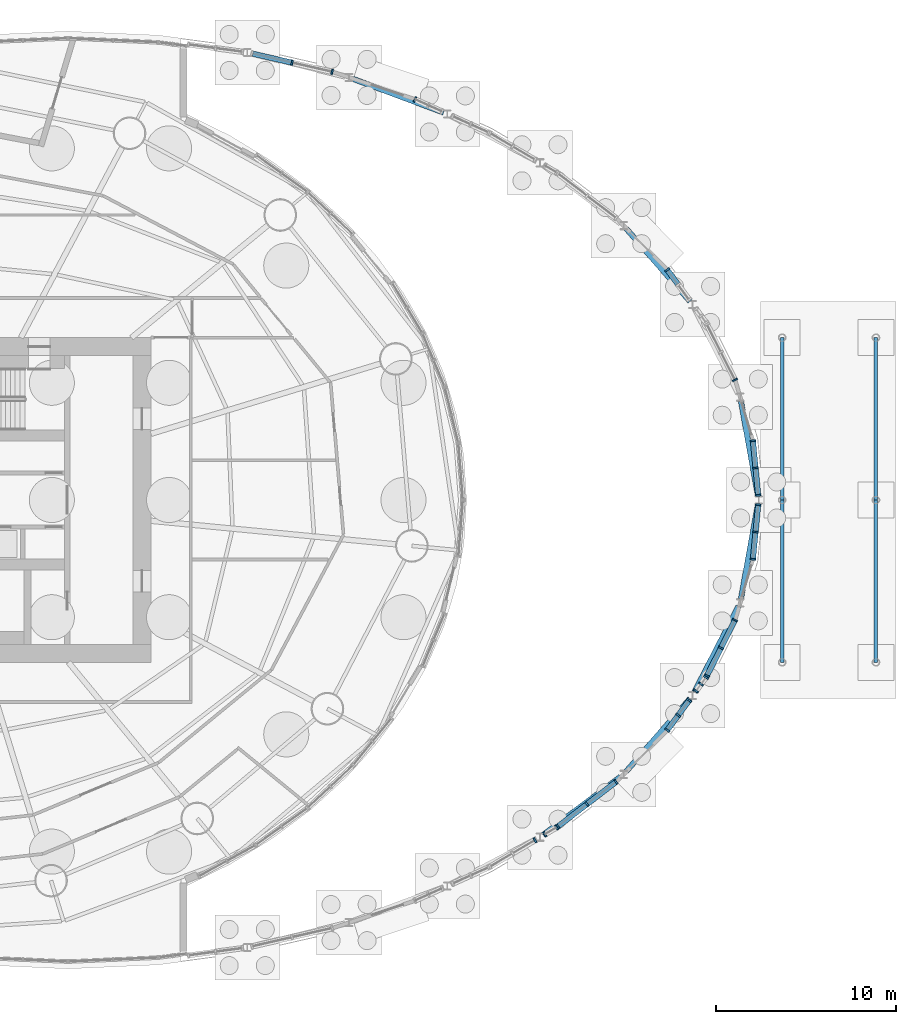
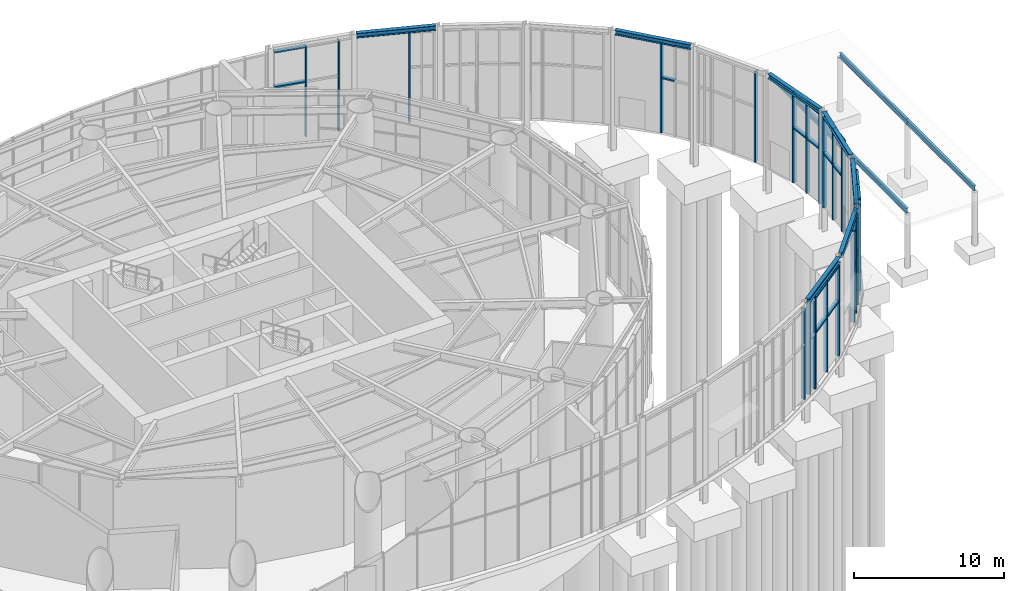
# One storey, part 13 of 27: 50 members, 11 beams, 12 elements without a shape of their own.
"""IFC4 building model written with IfcOpenShell, lengths in metres."""

from ifc_helpers import new_model, si_unit, direction, frame, origin, origin_2d, place, context, subcontext, project, spatial, rectangle, i_section, extrude, material, material_profile, profile_set, type_object, element, aggregate, save


model = new_model("IFC4")

# Units and contexts
model_context = context("Model", 3, precision=1e-05, world=origin(), true_north=direction((0.0, 1.0)))
body_context = subcontext(model_context, "Body", "Model", "MODEL_VIEW")
ifc_project = project(units=[si_unit("LENGTHUNIT", "METRE"), si_unit("AREAUNIT", "SQUARE_METRE"), si_unit("VOLUMEUNIT", "CUBIC_METRE"), si_unit("PLANEANGLEUNIT", "RADIAN"), si_unit("MASSUNIT", "GRAM", prefix="KILO")], contexts=[model_context])

# Site, building, storey
site_placement = place(None, origin())
site = spatial("IfcSite", under=ifc_project, at=site_placement, CompositionType="ELEMENT")
building_placement = place(site_placement, origin())
building = spatial("IfcBuilding", under=site, at=building_placement, Name="Vermilion Reach Broadcast Tower", CompositionType="ELEMENT")
storey_placement = place(building_placement, origin())
storey = spatial("IfcBuildingStorey", under=building, at=storey_placement, Name="L00", CompositionType="ELEMENT", Elevation=0.0)

# Curtain wall, member
ifc_material_1 = material(Name="Low-e laminated clear glass in aluminium frame", Category="aluminium")
curtain_wall_type = type_object("IfcCurtainWallType", Name="Atrium outer wall curtain wall", PredefinedType="NOTDEFINED", material=ifc_material_1)
placement = place(storey_placement, origin())
curtain_wall_1 = element("IfcCurtainWall", 1, at=placement, inside=storey, type_object=curtain_wall_type, Name="Atrium wall L00 02-1", PredefinedType="NOTDEFINED")
ifc_material_2 = material(Name="Anodised aluminium", Category="aluminium")
ifc_material_profile_1 = material_profile(ifc_material_2, rectangle(XDim=0.300048828125, YDim=0.10009765625, at=origin_2d()), Name="Atrium outer wall mullion 100 x 300")
ifc_profile_set_1 = profile_set([ifc_material_profile_1], Name="Anodised aluminium")
member_type_1 = type_object("IfcMemberType", Name="Atrium outer wall mullion 100 x 300", PredefinedType="MULLION", material=ifc_profile_set_1)
member_1_placement = place(storey_placement, frame((27.291748046875, -18.86572265625, 0.0), z_axis=(0.0, 0.0, 1.0), x_axis=(-0.508589622127, 0.861009057017, 0.0)))
member_1 = element("IfcMember", 2, at=member_1_placement, type_object=member_type_1, Name="Atrium wall mullion L00 02-1.3", PredefinedType="MULLION", context=body_context, shape_type="SweptSolid", body=[
    extrude(rectangle(XDim=0.300048828125, YDim=0.10009765625, at=origin_2d()), origin(), (0.0, 0.0, 1.0), 7.409912109375),
])
aggregate(curtain_wall_1, [member_1])

# Curtain wall, members
curtain_wall_2 = element("IfcCurtainWall", 3, at=placement, inside=storey, type_object=curtain_wall_type, Name="Atrium wall L00 02-2", PredefinedType="NOTDEFINED")
member_2_placement = place(storey_placement, frame((27.849609375, -18.5361328125, 0.0), z_axis=(0.0, 0.0, 1.0), x_axis=(-0.508589622127, 0.861009057017, 0.0)))
member_2 = element("IfcMember", 4, at=member_2_placement, type_object=member_type_1, Name="Atrium wall mullion L00 02-2.1", PredefinedType="MULLION", context=body_context, shape_type="SweptSolid", body=[
    extrude(rectangle(XDim=0.300048828125, YDim=0.10009765625, at=origin_2d()), origin(), (0.0, 0.0, 1.0), 7.409912109375),
])
member_3_placement = place(storey_placement, frame((28.48388671875, -18.161376953125, 0.0), z_axis=(0.0, 0.0, 1.0), x_axis=(-0.508589622127, 0.861009057017, 0.0)))
member_3 = element("IfcMember", 5, at=member_3_placement, type_object=member_type_1, Name="Atrium wall mullion L00 02-2.2", PredefinedType="MULLION", context=body_context, shape_type="SweptSolid", body=[
    extrude(rectangle(XDim=0.300048828125, YDim=0.10009765625, at=origin_2d()), origin(), (0.0, 0.0, 1.0), 7.409912109375),
])
aggregate(curtain_wall_2, [member_2, member_3])

curtain_wall_3 = element("IfcCurtainWall", 6, at=placement, inside=storey, type_object=curtain_wall_type, Name="Atrium wall L00 03", PredefinedType="NOTDEFINED")
member_4_placement = place(storey_placement, frame((28.566650390625, -18.10546875, 0.0), z_axis=(0.0, 0.0, 1.0), x_axis=(-0.609113924113, 0.793082736826, 0.0)))
member_4 = element("IfcMember", 7, at=member_4_placement, type_object=member_type_1, Name="Atrium wall mullion L00 03.1", PredefinedType="MULLION", context=body_context, shape_type="SweptSolid", body=[
    extrude(rectangle(XDim=0.300048828125, YDim=0.10009765625, at=origin_2d()), origin(), (0.0, 0.0, 1.0), 7.409912109375),
])
member_5_placement = place(storey_placement, frame((30.17626953125, -16.869140625, 0.0), z_axis=(0.0, 0.0, 1.0), x_axis=(-0.609113924113, 0.793082736826, 0.0)))
member_5 = element("IfcMember", 8, at=member_5_placement, type_object=member_type_1, Name="Atrium wall mullion L00 03.2", PredefinedType="MULLION", context=body_context, shape_type="SweptSolid", body=[
    extrude(rectangle(XDim=0.300048828125, YDim=0.10009765625, at=origin_2d()), origin(), (0.0, 0.0, 1.0), 7.409912109375),
])
member_6_placement = place(storey_placement, frame((31.7861328125, -15.6328125, 0.0), z_axis=(0.0, 0.0, 1.0), x_axis=(-0.609113924113, 0.793082736826, 0.0)))
member_6 = element("IfcMember", 9, at=member_6_placement, type_object=member_type_1, Name="Atrium wall mullion L00 03.3", PredefinedType="MULLION", context=body_context, shape_type="SweptSolid", body=[
    extrude(rectangle(XDim=0.300048828125, YDim=0.10009765625, at=origin_2d()), origin(), (0.0, 0.0, 1.0), 7.409912109375),
])

curtain_wall_4 = element("IfcCurtainWall", 10, at=placement, inside=storey, type_object=curtain_wall_type, Name="Atrium wall L00 01-1", PredefinedType="NOTDEFINED")
member_7_placement = place(storey_placement, frame((34.630615234375, -12.764404296875, 0.0), z_axis=(0.0, 0.0, 1.0), x_axis=(-0.806847463604, 0.590759824697, 0.0)))
member_7 = element("IfcMember", 11, at=member_7_placement, type_object=member_type_1, Name="Atrium wall mullion L00 01-1.1", PredefinedType="MULLION", context=body_context, shape_type="SweptSolid", body=[
    extrude(rectangle(XDim=0.300048828125, YDim=0.10009765625, at=origin_2d()), origin(), (0.0, 0.0, 1.0), 7.409912109375),
])
member_8_placement = place(storey_placement, frame((35.236572265625, -11.936767578125, 0.0), z_axis=(0.0, 0.0, 1.0), x_axis=(-0.806847463604, 0.590759824697, 0.0)))
member_8 = element("IfcMember", 12, at=member_8_placement, type_object=member_type_1, Name="Atrium wall mullion L00 01-1.2", PredefinedType="MULLION", context=body_context, shape_type="SweptSolid", body=[
    extrude(rectangle(XDim=0.300048828125, YDim=0.10009765625, at=origin_2d()), origin(), (0.0, 0.0, 1.0), 7.409912109375),
])
member_9_placement = place(storey_placement, frame((35.8427734375, -11.109130859375, 0.0), z_axis=(0.0, 0.0, 1.0), x_axis=(-0.806847463604, 0.590759824697, 0.0)))
member_9 = element("IfcMember", 13, at=member_9_placement, type_object=member_type_1, Name="Atrium wall mullion L00 01-1.3", PredefinedType="MULLION", context=body_context, shape_type="SweptSolid", body=[
    extrude(rectangle(XDim=0.300048828125, YDim=0.10009765625, at=origin_2d()), origin(), (0.0, 0.0, 1.0), 7.409912109375),
])

curtain_wall_5 = element("IfcCurtainWall", 14, at=placement, inside=storey, type_object=curtain_wall_type, Name="Atrium wall L00 01-2", PredefinedType="NOTDEFINED")
member_10_placement = place(storey_placement, frame((36.2255859375, -10.586181640625, 0.0), z_axis=(0.0, 0.0, 1.0), x_axis=(-0.806847463604, 0.590759824697, 0.0)))
member_10 = element("IfcMember", 15, at=member_10_placement, type_object=member_type_1, Name="Atrium wall mullion L00 01-2.1", PredefinedType="MULLION", context=body_context, shape_type="SweptSolid", body=[
    extrude(rectangle(XDim=0.300048828125, YDim=0.10009765625, at=origin_2d()), origin(), (0.0, 0.0, 1.0), 7.409912109375),
])
member_11_placement = place(storey_placement, frame((36.501220703125, -10.209716796875, 0.0), z_axis=(0.0, 0.0, 1.0), x_axis=(-0.806847463604, 0.590759824697, 0.0)))
member_11 = element("IfcMember", 16, at=member_11_placement, type_object=member_type_1, Name="Atrium wall mullion L00 01-2.2", PredefinedType="MULLION", context=body_context, shape_type="SweptSolid", body=[
    extrude(rectangle(XDim=0.300048828125, YDim=0.10009765625, at=origin_2d()), origin(), (0.0, 0.0, 1.0), 7.409912109375),
])
member_12_placement = place(storey_placement, frame((36.777099609375, -9.8330078125, 0.0), z_axis=(0.0, 0.0, 1.0), x_axis=(-0.806847463604, 0.590759824697, 0.0)))
member_12 = element("IfcMember", 17, at=member_12_placement, type_object=member_type_1, Name="Atrium wall mullion L00 01-2.3", PredefinedType="MULLION", context=body_context, shape_type="SweptSolid", body=[
    extrude(rectangle(XDim=0.300048828125, YDim=0.10009765625, at=origin_2d()), origin(), (0.0, 0.0, 1.0), 7.409912109375),
])
aggregate(curtain_wall_5, [member_10, member_11, member_12])

curtain_wall_6 = element("IfcCurtainWall", 18, at=placement, inside=storey, type_object=curtain_wall_type, Name="Atrium wall L00 02", PredefinedType="NOTDEFINED")
member_13_placement = place(storey_placement, frame((36.8291015625, -9.748046875, 0.0), z_axis=(0.0, 0.0, 1.0), x_axis=(-0.892992378986, 0.450071784356, 0.0)))
member_13 = element("IfcMember", 19, at=member_13_placement, type_object=member_type_1, Name="Atrium wall mullion L00 02.1", PredefinedType="MULLION", context=body_context, shape_type="SweptSolid", body=[
    extrude(rectangle(XDim=0.300048828125, YDim=0.10009765625, at=origin_2d()), origin(), (0.0, 0.0, 1.0), 7.409912109375),
])
member_14_placement = place(storey_placement, frame((37.6064453125, -8.20556640625, 0.0), z_axis=(0.0, 0.0, 1.0), x_axis=(-0.892992378986, 0.450071784356, 0.0)))
member_14 = element("IfcMember", 20, at=member_14_placement, type_object=member_type_1, Name="Atrium wall mullion L00 02.2", PredefinedType="MULLION", context=body_context, shape_type="SweptSolid", body=[
    extrude(rectangle(XDim=0.300048828125, YDim=0.10009765625, at=origin_2d()), origin(), (0.0, 0.0, 1.0), 7.409912109375),
])
member_15_placement = place(storey_placement, frame((38.384033203125, -6.6630859375, 0.0), z_axis=(0.0, 0.0, 1.0), x_axis=(-0.892992378986, 0.450071784356, 0.0)))
member_15 = element("IfcMember", 21, at=member_15_placement, type_object=member_type_1, Name="Atrium wall mullion L00 02.3", PredefinedType="MULLION", context=body_context, shape_type="SweptSolid", body=[
    extrude(rectangle(XDim=0.300048828125, YDim=0.10009765625, at=origin_2d()), origin(), (0.0, 0.0, 1.0), 7.409912109375),
])

curtain_wall_7 = element("IfcCurtainWall", 22, at=placement, inside=storey, type_object=curtain_wall_type, Name="Atrium wall L00 01", PredefinedType="NOTDEFINED")
member_16_placement = place(storey_placement, frame((39.380615234375, -3.286376953125, 0.0), z_axis=(0.0, 0.0, 1.0), x_axis=(-0.995297951094, 0.096860665643, 0.0)))
member_16 = element("IfcMember", 23, at=member_16_placement, type_object=member_type_1, Name="Atrium wall mullion L00 01.1", PredefinedType="MULLION", context=body_context, shape_type="SweptSolid", body=[
    extrude(rectangle(XDim=0.300048828125, YDim=0.10009765625, at=origin_2d()), origin(), (0.0, 0.0, 1.0), 7.409912109375),
])
member_17_placement = place(storey_placement, frame((39.52783203125, -1.774658203125, 0.0), z_axis=(0.0, 0.0, 1.0), x_axis=(-0.995297951094, 0.096860665643, 0.0)))
member_17 = element("IfcMember", 24, at=member_17_placement, type_object=member_type_1, Name="Atrium wall mullion L00 01.2", PredefinedType="MULLION", context=body_context, shape_type="SweptSolid", body=[
    extrude(rectangle(XDim=0.300048828125, YDim=0.10009765625, at=origin_2d()), origin(), (0.0, 0.0, 1.0), 7.409912109375),
])
member_18_placement = place(storey_placement, frame((39.6748046875, -0.2626953125, 0.0), z_axis=(0.0, 0.0, 1.0), x_axis=(-0.995297951094, 0.096860665643, 0.0)))
member_18 = element("IfcMember", 25, at=member_18_placement, type_object=member_type_1, Name="Atrium wall mullion L00 01.3", PredefinedType="MULLION", context=body_context, shape_type="SweptSolid", body=[
    extrude(rectangle(XDim=0.300048828125, YDim=0.10009765625, at=origin_2d()), origin(), (0.0, 0.0, 1.0), 7.409912109375),
])

curtain_wall_8 = element("IfcCurtainWall", 26, at=placement, inside=storey, type_object=curtain_wall_type, Name="Atrium wall L00 02", PredefinedType="NOTDEFINED")
member_19_placement = place(storey_placement, frame((39.6748046875, 0.2626953125, 0.0), z_axis=(0.0, 0.0, 1.0), x_axis=(-0.995297951094, -0.096860665643, 0.0)))
member_19 = element("IfcMember", 27, at=member_19_placement, type_object=member_type_1, Name="Atrium wall mullion L00 02.1", PredefinedType="MULLION", context=body_context, shape_type="SweptSolid", body=[
    extrude(rectangle(XDim=0.300048828125, YDim=0.10009765625, at=origin_2d()), origin(), (0.0, 0.0, 1.0), 7.409912109375),
])
member_20_placement = place(storey_placement, frame((39.52783203125, 1.774658203125, 0.0), z_axis=(0.0, 0.0, 1.0), x_axis=(-0.995297951094, -0.096860665643, 0.0)))
member_20 = element("IfcMember", 28, at=member_20_placement, type_object=member_type_1, Name="Atrium wall mullion L00 02.2", PredefinedType="MULLION", context=body_context, shape_type="SweptSolid", body=[
    extrude(rectangle(XDim=0.300048828125, YDim=0.10009765625, at=origin_2d()), origin(), (0.0, 0.0, 1.0), 7.409912109375),
])
member_21_placement = place(storey_placement, frame((39.380615234375, 3.286376953125, 0.0), z_axis=(0.0, 0.0, 1.0), x_axis=(-0.995297951094, -0.096860665643, 0.0)))
member_21 = element("IfcMember", 29, at=member_21_placement, type_object=member_type_1, Name="Atrium wall mullion L00 02.3", PredefinedType="MULLION", context=body_context, shape_type="SweptSolid", body=[
    extrude(rectangle(XDim=0.300048828125, YDim=0.10009765625, at=origin_2d()), origin(), (0.0, 0.0, 1.0), 7.409912109375),
])

# Curtain wall, member
curtain_wall_9 = element("IfcCurtainWall", 30, at=placement, inside=storey, type_object=curtain_wall_type, Name="Atrium wall L00 01", PredefinedType="NOTDEFINED")
member_22_placement = place(storey_placement, frame((38.384033203125, 6.6630859375, 0.0), z_axis=(0.0, 0.0, 1.0), x_axis=(-0.892992378986, -0.450071784356, 0.0)))
member_22 = element("IfcMember", 31, at=member_22_placement, type_object=member_type_1, Name="Atrium wall mullion L00 01.1", PredefinedType="MULLION", context=body_context, shape_type="SweptSolid", body=[
    extrude(rectangle(XDim=0.300048828125, YDim=0.10009765625, at=origin_2d()), origin(), (0.0, 0.0, 1.0), 7.409912109375),
])
aggregate(curtain_wall_9, [member_22])

curtain_wall_10 = element("IfcCurtainWall", 32, at=placement, inside=storey, type_object=curtain_wall_type, Name="Atrium wall L00 02-2", PredefinedType="NOTDEFINED")
member_23_placement = place(storey_placement, frame((34.630615234375, 12.764404296875, 0.0), z_axis=(0.0, 0.0, 1.0), x_axis=(-0.806847463604, -0.590759824697, 0.0)))
member_23 = element("IfcMember", 33, at=member_23_placement, type_object=member_type_1, Name="Atrium wall mullion L00 02-2.3", PredefinedType="MULLION", context=body_context, shape_type="SweptSolid", body=[
    extrude(rectangle(XDim=0.300048828125, YDim=0.10009765625, at=origin_2d()), origin(), (0.0, 0.0, 1.0), 7.409912109375),
])

curtain_wall_11 = element("IfcCurtainWall", 34, at=placement, inside=storey, type_object=curtain_wall_type, Name="Atrium wall L00 03-2", PredefinedType="NOTDEFINED")
member_24_placement = place(storey_placement, frame((20.636962890625, 22.216552734375, 0.0), z_axis=(0.0, 0.0, 1.0), x_axis=(-0.410407876277, -0.911902064418, 0.0)))
member_24 = element("IfcMember", 35, at=member_24_placement, type_object=member_type_1, Name="Atrium wall mullion L00 03-2.3", PredefinedType="MULLION", context=body_context, shape_type="SweptSolid", body=[
    extrude(rectangle(XDim=0.300048828125, YDim=0.10009765625, at=origin_2d()), origin(), (0.0, 0.0, 1.0), 7.409912109375),
])
aggregate(curtain_wall_11, [member_24])

# Curtain wall, members
curtain_wall_12 = element("IfcCurtainWall", 36, at=placement, inside=storey, type_object=curtain_wall_type, Name="Atrium wall L00 01", PredefinedType="NOTDEFINED")
member_25_placement = place(storey_placement, frame((16.042236328125, 23.7431640625, 0.0), z_axis=(0.0, 0.0, 1.0), x_axis=(-0.222891523278, -0.974843253478, 0.0)))
member_25 = element("IfcMember", 37, at=member_25_placement, type_object=member_type_1, Name="Atrium wall mullion L00 01.1", PredefinedType="MULLION", context=body_context, shape_type="SweptSolid", body=[
    extrude(rectangle(XDim=0.300048828125, YDim=0.10009765625, at=origin_2d()), origin(), (0.0, 0.0, 1.0), 7.409912109375),
])
member_26_placement = place(storey_placement, frame((13.818359375, 24.251708984375, 0.0), z_axis=(0.0, 0.0, 1.0), x_axis=(-0.222891523278, -0.974843253478, 0.0)))
member_26 = element("IfcMember", 38, at=member_26_placement, type_object=member_type_1, Name="Atrium wall mullion L00 01.2", PredefinedType="MULLION", context=body_context, shape_type="SweptSolid", body=[
    extrude(rectangle(XDim=0.300048828125, YDim=0.10009765625, at=origin_2d()), origin(), (0.0, 0.0, 1.0), 7.409912109375),
])

# Member
ifc_material_3 = material(Name="Anodised aluminium", Category="aluminium")
ifc_material_profile_2 = material_profile(ifc_material_3, rectangle(XDim=0.300048828125, YDim=0.1201171875, at=origin_2d()), Name="Atrium outer wall transom 300 x 120")
ifc_profile_set_2 = profile_set([ifc_material_profile_2], Name="Anodised aluminium")
member_type_2 = type_object("IfcMemberType", Name="Atrium outer wall transom 300 x 120", PredefinedType="USERDEFINED", material=ifc_profile_set_2)
member_27_placement = place(storey_placement, frame((28.606201171875, -18.0751953125, 4.5), z_axis=(0.79307054721, 0.609129794993, 0.0), x_axis=(-0.609129794993, 0.79307054721, 0.0)))
member_27 = element("IfcMember", 39, at=member_27_placement, type_object=member_type_2, Name="Atrium wall transom L00 03.1.2", ObjectType="TRANSOM", PredefinedType="USERDEFINED", context=body_context, shape_type="SweptSolid", body=[
    extrude(rectangle(XDim=0.300048828125, YDim=0.1201171875, at=origin_2d()), origin(), (0.0, 0.0, 1.0), 1.929931640625),
])

member_28_placement = place(storey_placement, frame((28.606201171875, -18.0751953125, 7.35009765625), z_axis=(0.79307054721, 0.609129794993, 0.0), x_axis=(-0.609129794993, 0.79307054721, 0.0)))
member_28 = element("IfcMember", 40, at=member_28_placement, type_object=member_type_2, Name="Atrium wall transom L00 03.1.3", ObjectType="TRANSOM", PredefinedType="USERDEFINED", context=body_context, shape_type="SweptSolid", body=[
    extrude(rectangle(XDim=0.300048828125, YDim=0.1201171875, at=origin_2d()), origin(), (0.0, 0.0, 1.0), 1.929931640625),
])

member_29_placement = place(storey_placement, frame((30.216064453125, -16.8388671875, 4.5), z_axis=(0.79307054721, 0.609129794993, 0.0), x_axis=(-0.609129794993, 0.79307054721, 0.0)))
member_29 = element("IfcMember", 41, at=member_29_placement, type_object=member_type_2, Name="Atrium wall transom L00 03.2.2", ObjectType="TRANSOM", PredefinedType="USERDEFINED", context=body_context, shape_type="SweptSolid", body=[
    extrude(rectangle(XDim=0.300048828125, YDim=0.1201171875, at=origin_2d()), origin(), (0.0, 0.0, 1.0), 1.929931640625),
])

member_30_placement = place(storey_placement, frame((30.216064453125, -16.8388671875, 7.35009765625), z_axis=(0.79307054721, 0.609129794993, 0.0), x_axis=(-0.609129794993, 0.79307054721, 0.0)))
member_30 = element("IfcMember", 42, at=member_30_placement, type_object=member_type_2, Name="Atrium wall transom L00 03.2.3", ObjectType="TRANSOM", PredefinedType="USERDEFINED", context=body_context, shape_type="SweptSolid", body=[
    extrude(rectangle(XDim=0.300048828125, YDim=0.1201171875, at=origin_2d()), origin(), (0.0, 0.0, 1.0), 1.929931640625),
])

aggregate(curtain_wall_3, [member_4, member_5, member_6, member_27, member_28, member_29, member_30])

member_31_placement = place(storey_placement, frame((34.66015625, -12.72412109375, 4.5), z_axis=(0.590677537, 0.806907706794, 0.0), x_axis=(-0.806907706794, 0.590677537, 0.0)))
member_31 = element("IfcMember", 43, at=member_31_placement, type_object=member_type_2, Name="Atrium wall transom L00 01-1.1.2", ObjectType="TRANSOM", PredefinedType="USERDEFINED", context=body_context, shape_type="SweptSolid", body=[
    extrude(rectangle(XDim=0.300048828125, YDim=0.1201171875, at=origin_2d()), origin(), (0.0, 0.0, 1.0), 0.92578125),
])

member_32_placement = place(storey_placement, frame((34.66015625, -12.72412109375, 7.35009765625), z_axis=(0.590677537, 0.806907706794, 0.0), x_axis=(-0.806907706794, 0.590677537, 0.0)))
member_32 = element("IfcMember", 44, at=member_32_placement, type_object=member_type_2, Name="Atrium wall transom L00 01-1.1.3", ObjectType="TRANSOM", PredefinedType="USERDEFINED", context=body_context, shape_type="SweptSolid", body=[
    extrude(rectangle(XDim=0.300048828125, YDim=0.1201171875, at=origin_2d()), origin(), (0.0, 0.0, 1.0), 0.92578125),
])

member_33_placement = place(storey_placement, frame((35.26611328125, -11.896484375, 4.5), z_axis=(0.590849188932, 0.806782025047, 0.0), x_axis=(-0.806782025047, 0.590849188932, 0.0)))
member_33 = element("IfcMember", 45, at=member_33_placement, type_object=member_type_2, Name="Atrium wall transom L00 01-1.2.2", ObjectType="TRANSOM", PredefinedType="USERDEFINED", context=body_context, shape_type="SweptSolid", body=[
    extrude(rectangle(XDim=0.300048828125, YDim=0.1201171875, at=origin_2d()), origin(), (0.0, 0.0, 1.0), 0.926025390625),
])

member_34_placement = place(storey_placement, frame((35.26611328125, -11.896484375, 7.35009765625), z_axis=(0.590849188932, 0.806782025047, 0.0), x_axis=(-0.806782025047, 0.590849188932, 0.0)))
member_34 = element("IfcMember", 46, at=member_34_placement, type_object=member_type_2, Name="Atrium wall transom L00 01-1.2.3", ObjectType="TRANSOM", PredefinedType="USERDEFINED", context=body_context, shape_type="SweptSolid", body=[
    extrude(rectangle(XDim=0.300048828125, YDim=0.1201171875, at=origin_2d()), origin(), (0.0, 0.0, 1.0), 0.926025390625),
])

aggregate(curtain_wall_4, [member_7, member_8, member_9, member_31, member_32, member_33, member_34])

member_35_placement = place(storey_placement, frame((36.8515625, -9.703369140625, 4.5), z_axis=(0.450091864122, 0.892982258419, 0.0), x_axis=(-0.892982258419, 0.450091864122, 0.0)))
member_35 = element("IfcMember", 47, at=member_35_placement, type_object=member_type_2, Name="Atrium wall transom L00 02.1.2", ObjectType="TRANSOM", PredefinedType="USERDEFINED", context=body_context, shape_type="SweptSolid", body=[
    extrude(rectangle(XDim=0.300048828125, YDim=0.1201171875, at=origin_2d()), origin(), (0.0, 0.0, 1.0), 1.627197265625),
])

member_36_placement = place(storey_placement, frame((36.8515625, -9.703369140625, 7.35009765625), z_axis=(0.450091864122, 0.892982258419, 0.0), x_axis=(-0.892982258419, 0.450091864122, 0.0)))
member_36 = element("IfcMember", 48, at=member_36_placement, type_object=member_type_2, Name="Atrium wall transom L00 02.1.3", ObjectType="TRANSOM", PredefinedType="USERDEFINED", context=body_context, shape_type="SweptSolid", body=[
    extrude(rectangle(XDim=0.300048828125, YDim=0.1201171875, at=origin_2d()), origin(), (0.0, 0.0, 1.0), 1.627197265625),
])

member_37_placement = place(storey_placement, frame((37.62890625, -8.160888671875, 4.5), z_axis=(0.450091864122, 0.892982258419, 0.0), x_axis=(-0.892982258419, 0.450091864122, 0.0)))
member_37 = element("IfcMember", 49, at=member_37_placement, type_object=member_type_2, Name="Atrium wall transom L00 02.2.2", ObjectType="TRANSOM", PredefinedType="USERDEFINED", context=body_context, shape_type="SweptSolid", body=[
    extrude(rectangle(XDim=0.300048828125, YDim=0.1201171875, at=origin_2d()), origin(), (0.0, 0.0, 1.0), 1.627197265625),
])

member_38_placement = place(storey_placement, frame((37.62890625, -8.160888671875, 7.35009765625), z_axis=(0.450091864122, 0.892982258419, 0.0), x_axis=(-0.892982258419, 0.450091864122, 0.0)))
member_38 = element("IfcMember", 50, at=member_38_placement, type_object=member_type_2, Name="Atrium wall transom L00 02.2.3", ObjectType="TRANSOM", PredefinedType="USERDEFINED", context=body_context, shape_type="SweptSolid", body=[
    extrude(rectangle(XDim=0.300048828125, YDim=0.1201171875, at=origin_2d()), origin(), (0.0, 0.0, 1.0), 1.627197265625),
])

aggregate(curtain_wall_6, [member_13, member_14, member_15, member_35, member_36, member_37, member_38])

member_39_placement = place(storey_placement, frame((39.385498046875, -3.236572265625, 4.5), z_axis=(0.096863028009, 0.995297721189, 0.0), x_axis=(-0.995297721189, 0.096863028009, 0.0)))
member_39 = element("IfcMember", 51, at=member_39_placement, type_object=member_type_2, Name="Atrium wall transom L00 01.1.2", ObjectType="TRANSOM", PredefinedType="USERDEFINED", context=body_context, shape_type="SweptSolid", body=[
    extrude(rectangle(XDim=0.300048828125, YDim=0.1201171875, at=origin_2d()), origin(), (0.0, 0.0, 1.0), 1.4189453125),
])

member_40_placement = place(storey_placement, frame((39.385498046875, -3.236572265625, 7.35009765625), z_axis=(0.096863028009, 0.995297721189, 0.0), x_axis=(-0.995297721189, 0.096863028009, 0.0)))
member_40 = element("IfcMember", 52, at=member_40_placement, type_object=member_type_2, Name="Atrium wall transom L00 01.1.3", ObjectType="TRANSOM", PredefinedType="USERDEFINED", context=body_context, shape_type="SweptSolid", body=[
    extrude(rectangle(XDim=0.300048828125, YDim=0.1201171875, at=origin_2d()), origin(), (0.0, 0.0, 1.0), 1.4189453125),
])

member_41_placement = place(storey_placement, frame((39.53271484375, -1.724853515625, 4.5), z_axis=(0.096863028009, 0.995297721189, 0.0), x_axis=(-0.995297721189, 0.096863028009, 0.0)))
member_41 = element("IfcMember", 53, at=member_41_placement, type_object=member_type_2, Name="Atrium wall transom L00 01.2.2", ObjectType="TRANSOM", PredefinedType="USERDEFINED", context=body_context, shape_type="SweptSolid", body=[
    extrude(rectangle(XDim=0.300048828125, YDim=0.1201171875, at=origin_2d()), origin(), (0.0, 0.0, 1.0), 1.4189453125),
])

member_42_placement = place(storey_placement, frame((39.53271484375, -1.724853515625, 7.35009765625), z_axis=(0.096863028009, 0.995297721189, 0.0), x_axis=(-0.995297721189, 0.096863028009, 0.0)))
member_42 = element("IfcMember", 54, at=member_42_placement, type_object=member_type_2, Name="Atrium wall transom L00 01.2.3", ObjectType="TRANSOM", PredefinedType="USERDEFINED", context=body_context, shape_type="SweptSolid", body=[
    extrude(rectangle(XDim=0.300048828125, YDim=0.1201171875, at=origin_2d()), origin(), (0.0, 0.0, 1.0), 1.4189453125),
])

aggregate(curtain_wall_7, [member_16, member_17, member_18, member_39, member_40, member_41, member_42])

member_43_placement = place(storey_placement, frame((39.670166015625, 0.3125, 4.5), z_axis=(-0.096863028009, 0.995297721189, 0.0), x_axis=(-0.995297721189, -0.096863028009, 0.0)))
member_43 = element("IfcMember", 55, at=member_43_placement, type_object=member_type_2, Name="Atrium wall transom L00 02.1.2", ObjectType="TRANSOM", PredefinedType="USERDEFINED", context=body_context, shape_type="SweptSolid", body=[
    extrude(rectangle(XDim=0.300048828125, YDim=0.1201171875, at=origin_2d()), origin(), (0.0, 0.0, 1.0), 1.4189453125),
])

member_44_placement = place(storey_placement, frame((39.670166015625, 0.3125, 7.35009765625), z_axis=(-0.096863028009, 0.995297721189, 0.0), x_axis=(-0.995297721189, -0.096863028009, 0.0)))
member_44 = element("IfcMember", 56, at=member_44_placement, type_object=member_type_2, Name="Atrium wall transom L00 02.1.3", ObjectType="TRANSOM", PredefinedType="USERDEFINED", context=body_context, shape_type="SweptSolid", body=[
    extrude(rectangle(XDim=0.300048828125, YDim=0.1201171875, at=origin_2d()), origin(), (0.0, 0.0, 1.0), 1.4189453125),
])

member_45_placement = place(storey_placement, frame((39.52294921875, 1.82421875, 4.5), z_axis=(-0.096863028009, 0.995297721189, 0.0), x_axis=(-0.995297721189, -0.096863028009, 0.0)))
member_45 = element("IfcMember", 57, at=member_45_placement, type_object=member_type_2, Name="Atrium wall transom L00 02.2.2", ObjectType="TRANSOM", PredefinedType="USERDEFINED", context=body_context, shape_type="SweptSolid", body=[
    extrude(rectangle(XDim=0.300048828125, YDim=0.1201171875, at=origin_2d()), origin(), (0.0, 0.0, 1.0), 1.4189453125),
])

member_46_placement = place(storey_placement, frame((39.52294921875, 1.82421875, 7.35009765625), z_axis=(-0.096863028009, 0.995297721189, 0.0), x_axis=(-0.995297721189, -0.096863028009, 0.0)))
member_46 = element("IfcMember", 58, at=member_46_placement, type_object=member_type_2, Name="Atrium wall transom L00 02.2.3", ObjectType="TRANSOM", PredefinedType="USERDEFINED", context=body_context, shape_type="SweptSolid", body=[
    extrude(rectangle(XDim=0.300048828125, YDim=0.1201171875, at=origin_2d()), origin(), (0.0, 0.0, 1.0), 1.4189453125),
])

aggregate(curtain_wall_8, [member_19, member_20, member_21, member_43, member_44, member_45, member_46])

member_47_placement = place(storey_placement, frame((35.20703125, 11.97705078125, 4.5), z_axis=(-0.590677537, 0.806907706794, 0.0), x_axis=(-0.806907706794, -0.590677537, 0.0)))
member_47 = element("IfcMember", 59, at=member_47_placement, type_object=member_type_2, Name="Atrium wall transom L00 02-2.2.2", ObjectType="TRANSOM", PredefinedType="USERDEFINED", context=body_context, shape_type="SweptSolid", body=[
    extrude(rectangle(XDim=0.300048828125, YDim=0.1201171875, at=origin_2d()), origin(), (0.0, 0.0, 1.0), 0.92578125),
])

member_48_placement = place(storey_placement, frame((35.20703125, 11.97705078125, 7.35009765625), z_axis=(-0.590677537, 0.806907706794, 0.0), x_axis=(-0.806907706794, -0.590677537, 0.0)))
member_48 = element("IfcMember", 60, at=member_48_placement, type_object=member_type_2, Name="Atrium wall transom L00 02-2.2.3", ObjectType="TRANSOM", PredefinedType="USERDEFINED", context=body_context, shape_type="SweptSolid", body=[
    extrude(rectangle(XDim=0.300048828125, YDim=0.1201171875, at=origin_2d()), origin(), (0.0, 0.0, 1.0), 0.92578125),
])

aggregate(curtain_wall_10, [member_23, member_47, member_48])

member_49_placement = place(storey_placement, frame((13.769775390625, 24.2626953125, 4.5), z_axis=(-0.97483071414, 0.222946358504, 0.0), x_axis=(-0.222946358504, -0.97483071414, 0.0)))
member_49 = element("IfcMember", 61, at=member_49_placement, type_object=member_type_2, Name="Atrium wall transom L00 01.2.2", ObjectType="TRANSOM", PredefinedType="USERDEFINED", context=body_context, shape_type="SweptSolid", body=[
    extrude(rectangle(XDim=0.300048828125, YDim=0.1201171875, at=origin_2d()), origin(), (0.0, 0.0, 1.0), 2.181396484375),
])

member_50_placement = place(storey_placement, frame((13.769775390625, 24.2626953125, 7.35009765625), z_axis=(-0.97483071414, 0.222946358504, 0.0), x_axis=(-0.222946358504, -0.97483071414, 0.0)))
member_50 = element("IfcMember", 62, at=member_50_placement, type_object=member_type_2, Name="Atrium wall transom L00 01.2.3", ObjectType="TRANSOM", PredefinedType="USERDEFINED", context=body_context, shape_type="SweptSolid", body=[
    extrude(rectangle(XDim=0.300048828125, YDim=0.1201171875, at=origin_2d()), origin(), (0.0, 0.0, 1.0), 2.181396484375),
])

aggregate(curtain_wall_12, [member_25, member_26, member_49, member_50])

# Beams
ifc_material_4 = material(Name="Steel S355J2", Category="steel")
ifc_material_profile_3 = material_profile(ifc_material_4, i_section(OverallWidth=0.199951171875, OverallDepth=0.39990234375, WebThickness=0.008056640625, FlangeThickness=0.012939453125, at=origin_2d()), Name="S355J2 HN 400x200x8x13")
ifc_profile_set_3 = profile_set([ifc_material_profile_3], Name="Steel S355J2")
beam_type_1 = type_object("IfcBeamType", Name="Canopy beam HN 400x200x8x13", PredefinedType="BEAM", material=ifc_profile_set_3)
for number, where, z_axis, x_axis, name in (
    (63, (41.0, -9.0, 4.550048828125), (0.0, 1.0, 0.0), (-1.0, 0.0, 0.0), "Canopy beam 1.1"),
    (64, (41.0, 0.0, 4.550048828125), (0.0, 1.0, 0.0), (-1.0, 0.0, 0.0), "Canopy beam 1.2"),
    (65, (46.199951171875, -9.0, 4.550048828125), (0.0, 1.0, 0.0), (-1.0, 0.0, 0.0), "Canopy beam 2.1"),
    (66, (46.199951171875, 0.0, 4.550048828125), (0.0, 1.0, 0.0), (-1.0, 0.0, 0.0), "Canopy beam 2.2"),
):
    element("IfcBeam", number, at=place(storey_placement, frame(where, z_axis=z_axis, x_axis=x_axis)), inside=storey, type_object=beam_type_1, Name=name, PredefinedType="BEAM", context=body_context, shape_type="SweptSolid", body=[
        extrude(i_section(OverallWidth=0.199951171875, OverallDepth=0.39990234375, WebThickness=0.008056640625, FlangeThickness=0.012939453125, at=origin_2d()), origin(), (0.0, 0.0, 1.0), 9.0),
    ])
ifc_material_5 = material(Name="Steel S355J2", Category="steel")
ifc_material_profile_4 = material_profile(ifc_material_5, i_section(OverallWidth=0.300048828125, OverallDepth=0.389892578125, WebThickness=0.010009765625, FlangeThickness=0.01611328125, at=origin_2d()), Name="S355J2 HM 390x300x10x16")
ifc_profile_set_4 = profile_set([ifc_material_profile_4], Name="Steel S355J2")
beam_type_2 = type_object("IfcBeamType", Name="RM1 HM 390x300x10x16", PredefinedType="BEAM", material=ifc_profile_set_4)
beam_1_placement = place(storey_placement, frame((27.74658203125, -18.568603515625, 7.60498046875), z_axis=(0.799426308376, 0.600764161278, 0.0), x_axis=(-0.600764161278, 0.799426308376, 0.0)))
element("IfcBeam", 67, at=beam_1_placement, inside=storey, type_object=beam_type_2, Name="Rim beam AP04-AP05", PredefinedType="BEAM", context=body_context, shape_type="SweptSolid", body=[
    extrude(i_section(OverallWidth=0.300048828125, OverallDepth=0.389892578125, WebThickness=0.010009765625, FlangeThickness=0.01611328125, at=origin_2d()), origin(), (0.0, 0.0, 1.0), 5.365478515625),
])
beam_2_placement = place(storey_placement, frame((32.356689453125, -15.047607421875, 7.60498046875), z_axis=(0.658704425983, 0.752401807009, 0.0), x_axis=(-0.752401807009, 0.658704425983, 0.0)))
element("IfcBeam", 68, at=beam_2_placement, inside=storey, type_object=beam_type_2, Name="Rim beam AP05-AP06", PredefinedType="BEAM", context=body_context, shape_type="SweptSolid", body=[
    extrude(i_section(OverallWidth=0.300048828125, OverallDepth=0.389892578125, WebThickness=0.010009765625, FlangeThickness=0.01611328125, at=origin_2d()), origin(), (0.0, 0.0, 1.0), 5.3623046875),
])
beam_3_placement = place(storey_placement, frame((36.13427734375, -10.65185546875, 7.60498046875), z_axis=(0.456870131235, 0.889533407571, 0.0), x_axis=(-0.889533407571, 0.456870131235, 0.0)))
element("IfcBeam", 69, at=beam_3_placement, inside=storey, type_object=beam_type_2, Name="Rim beam AP06-AP07", PredefinedType="BEAM", context=body_context, shape_type="SweptSolid", body=[
    extrude(i_section(OverallWidth=0.300048828125, OverallDepth=0.389892578125, WebThickness=0.010009765625, FlangeThickness=0.01611328125, at=origin_2d()), origin(), (0.0, 0.0, 1.0), 5.345458984375),
])
for number, where, z_axis, x_axis, name in (
    (70, (38.715576171875, -5.48486328125, 7.60498046875), (0.176657264491, 0.984272427178, 0.0), (-0.984272427178, 0.176657264491, 0.0), "Rim beam AP07-AP08"),
    (71, (39.6611328125, 0.216552734375, 7.60498046875), (-0.176657264491, 0.984272427178, 0.0), (-0.984272427178, -0.176657264491, 0.0), "Rim beam AP08-AP09"),
):
    element("IfcBeam", number, at=place(storey_placement, frame(where, z_axis=z_axis, x_axis=x_axis)), inside=storey, type_object=beam_type_2, Name=name, PredefinedType="BEAM", context=body_context, shape_type="SweptSolid", body=[
        extrude(i_section(OverallWidth=0.300048828125, OverallDepth=0.389892578125, WebThickness=0.010009765625, FlangeThickness=0.01611328125, at=origin_2d()), origin(), (0.0, 0.0, 1.0), 5.3525390625),
    ])
beam_4_placement = place(storey_placement, frame((35.888916015625, 11.012939453125, 7.60498046875), z_axis=(-0.658704425983, 0.752401807009, 0.0), x_axis=(-0.752401807009, -0.658704425983, 0.0)))
element("IfcBeam", 72, at=beam_4_placement, inside=storey, type_object=beam_type_2, Name="Rim beam AP10-AP11", PredefinedType="BEAM", context=body_context, shape_type="SweptSolid", body=[
    extrude(i_section(OverallWidth=0.300048828125, OverallDepth=0.389892578125, WebThickness=0.010009765625, FlangeThickness=0.01611328125, at=origin_2d()), origin(), (0.0, 0.0, 1.0), 5.3623046875),
])
beam_5_placement = place(storey_placement, frame((22.22509765625, 21.485595703125, 7.60498046875), z_axis=(-0.937250522131, 0.348656648818, 0.0), x_axis=(-0.348656648818, -0.937250522131, 0.0)))
element("IfcBeam", 73, at=beam_5_placement, inside=storey, type_object=beam_type_2, Name="Rim beam AP13-AP14", PredefinedType="BEAM", context=body_context, shape_type="SweptSolid", body=[
    extrude(i_section(OverallWidth=0.300048828125, OverallDepth=0.389892578125, WebThickness=0.010009765625, FlangeThickness=0.01611328125, at=origin_2d()), origin(), (0.0, 0.0, 1.0), 5.37158203125),
])

save(model, "model.ifc")
